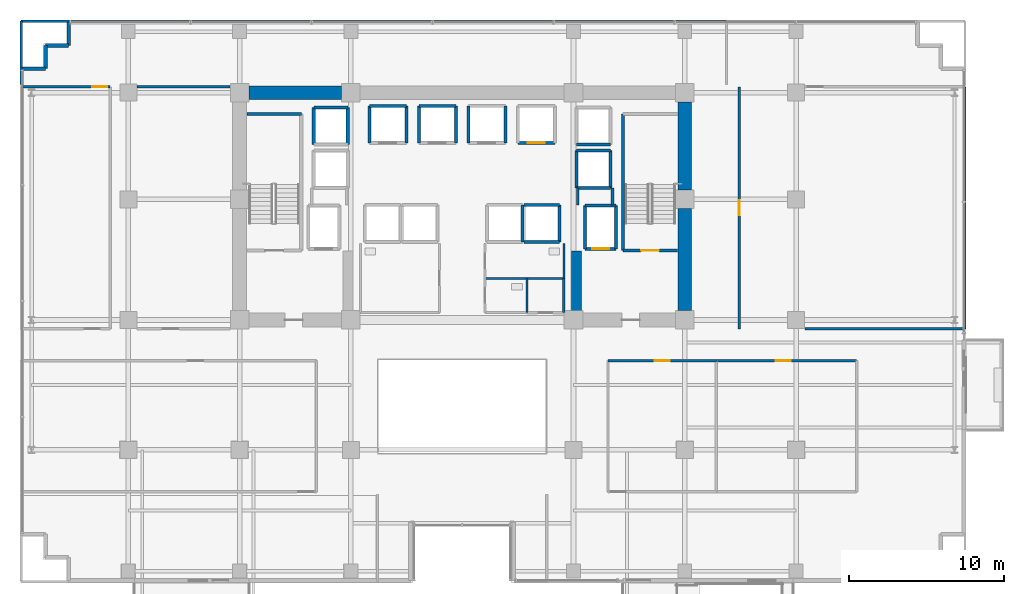
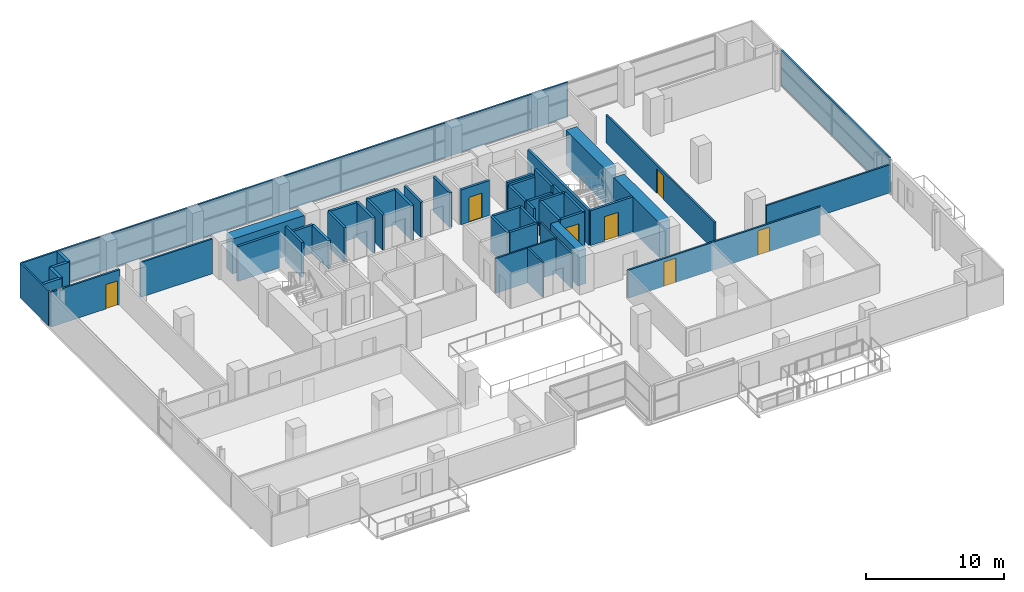
# One storey, part 23 of 28: 51 walls, 7 doors, 7 openings.
"""IFC4 building model written with IfcOpenShell, lengths in metres."""

from ifc_helpers import new_model, si_unit, direction, frame, frame_2d, origin, place, context, subcontext, project, spatial, rectangle, extrude, source, transform, mapped, material, layer, layer_set, type_object, element, fill, save


model = new_model("IFC4")

# Units and contexts
model_context = context("Model", 3, precision=1e-05, world=origin(), true_north=direction((0.0, 1.0)))
body_context = subcontext(model_context, "Body", "Model", "MODEL_VIEW")
ifc_project = project(units=[si_unit("LENGTHUNIT", "METRE"), si_unit("AREAUNIT", "SQUARE_METRE"), si_unit("VOLUMEUNIT", "CUBIC_METRE"), si_unit("PLANEANGLEUNIT", "RADIAN"), si_unit("MASSUNIT", "GRAM", prefix="KILO")], contexts=[model_context])

# Site, building, storey
site_placement = place(None, origin())
site = spatial("IfcSite", under=ifc_project, at=site_placement, CompositionType="ELEMENT")
building_placement = place(site_placement, origin())
building = spatial("IfcBuilding", under=site, at=building_placement, Name="Zarnakvel Exchange Tower", CompositionType="ELEMENT")
storey_placement = place(building_placement, frame((0.0, 0.0, 57.10009765625)))
storey = spatial("IfcBuildingStorey", under=building, at=storey_placement, Name="L15", CompositionType="ELEMENT", Elevation=57.10009765625)

# Walls
ifc_material_1 = material(Name="Concrete C80/95", Category="concrete")
ifc_layer_1 = layer(ifc_material_1, 0.89990234375)
ifc_layer_set_1 = layer_set([ifc_layer_1], Name="Concrete C80/95")
wall_type_1 = type_object("IfcWallType", Name="CW-C1", PredefinedType="SHEAR", material=ifc_layer_set_1)
wall_1_placement = place(storey_placement, frame((-13.800048828125, 13.5, 0.0), z_axis=(0.0, 0.0, 1.0), x_axis=(1.0, 0.0, 0.0)))
element("IfcWall", 1, at=wall_1_placement, inside=storey, type_object=wall_type_1, Name="L15 Rear Core Shear Wall N1 (CW-C1)", PredefinedType="SHEAR", context=body_context, shape_type="SweptSolid", body=[
    extrude(rectangle(XDim=6.0, YDim=0.89990234375, at=frame_2d((3.0, 0.0))), origin(), (0.0, 0.0, 1.0), 3.074951171875),
])
wall_2_placement = place(storey_placement, frame((14.39990234375, -0.60009765625, 0.0), z_axis=(0.0, 0.0, 1.0), x_axis=(0.0, 1.0, 0.0)))
element("IfcWall", 2, at=wall_2_placement, inside=storey, type_object=wall_type_1, Name="L15 Rear Core Shear Wall E1 (CW-C1)", PredefinedType="SHEAR", context=body_context, shape_type="SweptSolid", body=[
    extrude(rectangle(XDim=6.60009765625, YDim=0.89990234375, at=frame_2d((3.300048828125, 0.0))), origin(), (0.0, 0.0, 1.0), 3.074951171875),
])
wall_3_placement = place(storey_placement, frame((14.39990234375, 7.199951171875, 0.0), z_axis=(0.0, 0.0, 1.0), x_axis=(0.0, 1.0, 0.0)))
element("IfcWall", 3, at=wall_3_placement, inside=storey, type_object=wall_type_1, Name="L15 Rear Core Shear Wall E2 (CW-C1)", PredefinedType="SHEAR", context=body_context, shape_type="SweptSolid", body=[
    extrude(rectangle(XDim=5.699951171875, YDim=0.89990234375, at=frame_2d((2.85009765625, 0.0))), origin(), (0.0, 0.0, 1.0), 3.074951171875),
])
ifc_layer_2 = layer(ifc_material_1, 0.64990234375)
ifc_layer_set_2 = layer_set([ifc_layer_2], Name="Concrete C80/95")
wall_type_2 = type_object("IfcWallType", Name="CW-C2", PredefinedType="SHEAR", material=ifc_layer_set_2)
wall_4_placement = place(storey_placement, frame((7.39990234375, -0.75, 0.0), z_axis=(0.0, 0.0, 1.0), x_axis=(0.0, 1.0, 0.0)))
element("IfcWall", 4, at=wall_4_placement, inside=storey, type_object=wall_type_2, Name="L15 Rear Core Shear Wall IE (CW-C2)", PredefinedType="SHEAR", context=body_context, shape_type="SweptSolid", body=[
    extrude(rectangle(XDim=4.0, YDim=0.64990234375, at=frame_2d((2.0, 0.0))), origin(), (0.0, 0.0, 1.0), 3.074951171875),
])
ifc_material_2 = material(Name="Precast concrete C40/50", Category="concrete")
ifc_layer_3 = layer(ifc_material_2, 0.239990234375)
ifc_layer_set_3 = layer_set([ifc_layer_3], Name="Precast concrete C40/50")
wall_type_3 = type_object("IfcWallType", Name="EW-02", PredefinedType="SOLIDWALL", material=ifc_layer_set_3)
for number, where, z_axis, x_axis, name in (
    (5, (-26.9599609375, 15.06005859375, 0.0), (0.0, 0.0, 1.0), (-1.0, 0.0, 0.0), "L15 Exterior Precast Spandrel Wall EWC-L15-01 (EW-02)"),
    (6, (-26.9599609375, 16.56005859375, 0.0), (0.0, 0.0, 1.0), (0.0, -1.0, 0.0), "L15 Exterior Precast Spandrel Wall EWC-L15-02 (EW-02)"),
    (7, (-25.4599609375, 16.56005859375, 0.0), (0.0, 0.0, 1.0), (-1.0, 0.0, 0.0), "L15 Exterior Precast Spandrel Wall EWC-L15-03 (EW-02)"),
    (8, (-25.4599609375, 18.06005859375, 0.0), (0.0, 0.0, 1.0), (0.0, -1.0, 0.0), "L15 Exterior Precast Spandrel Wall EWC-L15-04 (EW-02)"),
):
    element("IfcWall", number, at=place(storey_placement, frame(where, z_axis=z_axis, x_axis=x_axis)), inside=storey, type_object=wall_type_3, Name=name, PredefinedType="SOLIDWALL", context=body_context, shape_type="SweptSolid", body=[
        extrude(rectangle(XDim=1.5, YDim=0.239990234375, at=frame_2d((0.75, 0.0))), origin(), (0.0, 0.0, 1.0), 3.074951171875),
    ])
ifc_material_3 = material(Name="Fire-Rated Gypsum Stud Partition", Category="gypsum")
ifc_layer_4 = layer(ifc_material_3, 0.14990234375)
ifc_layer_set_4 = layer_set([ifc_layer_4], Name="Fire-Rated Gypsum Stud Partition")
wall_type_4 = type_object("IfcWallType", Name="PT-01", PredefinedType="PARTITIONING", material=ifc_layer_set_4)
wall_5_placement = place(storey_placement, frame((6.580078125, 1.47998046875, 0.0), z_axis=(0.0, 0.0, 1.0), x_axis=(0.0, -1.0, 0.0)))
element("IfcWall", 9, at=wall_5_placement, inside=storey, type_object=wall_type_4, Name="L15 Partition Wall PWALL-L15-021 (PT-01)", PredefinedType="PARTITIONING", context=body_context, shape_type="SweptSolid", body=[
    extrude(rectangle(XDim=2.2099609375, YDim=0.14990234375, at=frame_2d((1.10498046875, 0.0))), origin(), (0.0, 0.0, 1.0), 3.074951171875),
])

# Wall, opening, door
wall_6_placement = place(storey_placement, frame((9.429931640625, -3.830078125, 0.0), z_axis=(0.0, 0.0, 1.0), x_axis=(1.0, 0.0, 0.0)))
wall_6 = element("IfcWall", 10, at=wall_6_placement, inside=storey, type_object=wall_type_4, Name="L15 Partition Wall PWALL-L15-030 (PT-01)", PredefinedType="PARTITIONING", context=body_context, shape_type="SweptSolid", body=[
    extrude(rectangle(XDim=7.0146484375, YDim=0.14990234375, at=frame_2d((3.50732421875, 0.0))), origin(), (0.0, 0.0, 1.0), 2.46484375),
])
opening_1_placement = place(wall_6_placement, frame((3.01708984375, 0.0, 0.0)))
opening_1 = element("IfcOpeningElement", 11, at=opening_1_placement, cuts=wall_6, Name="Opening D-L15-11", PredefinedType="OPENING", context=body_context, shape_type="SweptSolid", body=[
    extrude(rectangle(XDim=0.97998046875, YDim=2.14990234375, at=frame_2d((0.489990234375, 1.074951171875))), frame((0.0, 0.0849609375, 0.0), z_axis=(0.0, -1.0, 0.0), x_axis=(1.0, 0.0, 0.0)), (0.0, 0.0, 1.0), 0.169921875),
])
ifc_material_4 = material(Name="Timber Acoustic Veneer", Category="wood")
door_type_1 = type_object("IfcDoorType", Name="DT-05", OperationType="NOTDEFINED", PredefinedType="DOOR", material=ifc_material_4)
shared_shape_1 = source(origin(), body_context, "Body", "SweptSolid", [
    extrude(rectangle(XDim=0.97998046875, YDim=2.14990234375, at=frame_2d((0.489990234375, 1.074951171875))), frame((0.0, 0.02490234375, 0.0), z_axis=(0.0, -1.0, 0.0), x_axis=(1.0, 0.0, 0.0)), (0.0, 0.0, 1.0), 0.050048828125),
])
door_1_placement = place(opening_1_placement, origin())
door_1 = element("IfcDoor", 12, at=door_1_placement, inside=storey, type_object=door_type_1, Name="L15 Seminar Room Door D-L15-11", OperationType="SINGLE_SWING_LEFT", OverallHeight=2.14990234375, OverallWidth=0.97998046875, PredefinedType="DOOR", context=body_context, shape_type="MappedRepresentation", body=[
    mapped(shared_shape_1, transform((0.0, 0.0, 0.0), x_axis=(1.0, 0.0, 0.0), y_axis=(0.0, 1.0, 0.0), z_axis=(0.0, 0.0, 1.0), scale=1.0)),
])
fill(opening_1, door_1)

wall_7_placement = place(storey_placement, frame((16.444580078125, -3.830078125, 0.0), z_axis=(0.0, 0.0, 1.0), x_axis=(1.0, 0.0, 0.0)))
wall_7 = element("IfcWall", 13, at=wall_7_placement, inside=storey, type_object=wall_type_4, Name="L15 Partition Wall PWALL-L15-034 (PT-01)", PredefinedType="PARTITIONING", context=body_context, shape_type="SweptSolid", body=[
    extrude(rectangle(XDim=9.07080078125, YDim=0.14990234375, at=frame_2d((4.535400390625, 0.0))), origin(), (0.0, 0.0, 1.0), 2.46484375),
])
opening_2_placement = place(wall_7_placement, frame((3.827392578125, 0.0, 0.0)))
opening_2 = element("IfcOpeningElement", 14, at=opening_2_placement, cuts=wall_7, Name="Opening D-L15-12", PredefinedType="OPENING", context=body_context, shape_type="SweptSolid", body=[
    extrude(rectangle(XDim=0.97998046875, YDim=2.14990234375, at=frame_2d((0.489990234375, 1.074951171875))), frame((0.0, 0.0849609375, 0.0), z_axis=(0.0, -1.0, 0.0), x_axis=(1.0, 0.0, 0.0)), (0.0, 0.0, 1.0), 0.169921875),
])
door_2_placement = place(opening_2_placement, origin())
door_2 = element("IfcDoor", 15, at=door_2_placement, inside=storey, type_object=door_type_1, Name="L15 Boardroom Door D-L15-12", OperationType="SINGLE_SWING_RIGHT", OverallHeight=2.14990234375, OverallWidth=0.97998046875, PredefinedType="DOOR", context=body_context, shape_type="MappedRepresentation", body=[
    mapped(shared_shape_1, transform((0.0, 0.0, 0.0), x_axis=(1.0, 0.0, 0.0), y_axis=(0.0, 1.0, 0.0), z_axis=(0.0, 0.0, 1.0), scale=1.0)),
])
fill(opening_2, door_2)

wall_8_placement = place(storey_placement, frame((-28.530029296875, 13.8798828125, 0.0), z_axis=(0.0, 0.0, 1.0), x_axis=(1.0, 0.0, 0.0)))
wall_8 = element("IfcWall", 16, at=wall_8_placement, inside=storey, type_object=wall_type_4, Name="L15 Partition Wall PWALL-L15-040 (PT-01)", PredefinedType="PARTITIONING", context=body_context, shape_type="SweptSolid", body=[
    extrude(rectangle(XDim=5.761474609375, YDim=0.14990234375, at=frame_2d((2.880859375, 0.0))), origin(), (0.0, 0.0, 1.0), 3.074951171875),
])
opening_3_placement = place(wall_8_placement, frame((4.6015625, 0.0, 0.0)))
opening_3 = element("IfcOpeningElement", 17, at=opening_3_placement, cuts=wall_8, Name="Opening D-L15-17", PredefinedType="OPENING", context=body_context, shape_type="SweptSolid", body=[
    extrude(rectangle(XDim=0.97998046875, YDim=2.14990234375, at=frame_2d((0.489990234375, 1.074951171875))), frame((0.0, 0.0849609375, 0.0), z_axis=(0.0, -1.0, 0.0), x_axis=(1.0, 0.0, 0.0)), (0.0, 0.0, 1.0), 0.169921875),
])
door_3_placement = place(opening_3_placement, origin())
door_3 = element("IfcDoor", 18, at=door_3_placement, inside=storey, type_object=door_type_1, Name="L15 Fintech Workspace Door D-L15-17", OperationType="SINGLE_SWING_LEFT", OverallHeight=2.14990234375, OverallWidth=0.97998046875, PredefinedType="DOOR", context=body_context, shape_type="MappedRepresentation", body=[
    mapped(shared_shape_1, transform((0.0, 0.0, 0.0), x_axis=(1.0, 0.0, 0.0), y_axis=(0.0, 1.0, 0.0), z_axis=(0.0, 0.0, 1.0), scale=1.0)),
])
fill(opening_3, door_3)

# Walls
wall_9_placement = place(storey_placement, frame((-21.030029296875, 13.8798828125, 0.0), z_axis=(0.0, 0.0, 1.0), x_axis=(1.0, 0.0, 0.0)))
element("IfcWall", 19, at=wall_9_placement, inside=storey, type_object=wall_type_4, Name="L15 Partition Wall PWALL-L15-044 (PT-01)", PredefinedType="PARTITIONING", context=body_context, shape_type="SweptSolid", body=[
    extrude(rectangle(XDim=6.010009765625, YDim=0.14990234375, at=frame_2d((3.0048828125, 0.0))), origin(), (0.0, 0.0, 1.0), 3.074951171875),
])
wall_10_placement = place(storey_placement, frame((32.530029296875, -1.77001953125, 0.0), z_axis=(0.0, 0.0, 1.0), x_axis=(-1.0, 0.0, 0.0)))
element("IfcWall", 20, at=wall_10_placement, inside=storey, type_object=wall_type_4, Name="L15 Partition Wall PWALL-L15-045 (PT-01)", PredefinedType="PARTITIONING", context=body_context, shape_type="SweptSolid", body=[
    extrude(rectangle(XDim=10.360107421875, YDim=0.14990234375, at=frame_2d((5.18017578125, 0.0))), origin(), (0.0, 0.0, 1.0), 2.46484375),
])

# Wall, opening, door
wall_11_placement = place(storey_placement, frame((17.929931640625, -1.77001953125, 0.0), z_axis=(0.0, 0.0, 1.0), x_axis=(0.0, 1.0, 0.0)))
wall_11 = element("IfcWall", 21, at=wall_11_placement, inside=storey, type_object=wall_type_4, Name="L15 Partition Wall PWALL-L15-047 (PT-01)", PredefinedType="PARTITIONING", context=body_context, shape_type="SweptSolid", body=[
    extrude(rectangle(XDim=15.64990234375, YDim=0.14990234375, at=frame_2d((7.824951171875, 0.0))), origin(), (0.0, 0.0, 1.0), 2.46484375),
])
opening_4_placement = place(wall_11_placement, frame((7.3349609375, 0.0, 0.0)))
opening_4 = element("IfcOpeningElement", 22, at=opening_4_placement, cuts=wall_11, Name="Opening D-L15-16", PredefinedType="OPENING", context=body_context, shape_type="SweptSolid", body=[
    extrude(rectangle(XDim=0.97998046875, YDim=2.14990234375, at=frame_2d((0.489990234375, 1.074951171875))), frame((0.0, 0.0849609375, 0.0), z_axis=(0.0, -1.0, 0.0), x_axis=(1.0, 0.0, 0.0)), (0.0, 0.0, 1.0), 0.169921875),
])
door_4_placement = place(opening_4_placement, origin())
door_4 = element("IfcDoor", 23, at=door_4_placement, inside=storey, type_object=door_type_1, Name="L15 Tea Pantry Door D-L15-16", OperationType="SINGLE_SWING_RIGHT", OverallHeight=2.14990234375, OverallWidth=0.97998046875, PredefinedType="DOOR", context=body_context, shape_type="MappedRepresentation", body=[
    mapped(shared_shape_1, transform((0.0, 0.0, 0.0), x_axis=(1.0, 0.0, 0.0), y_axis=(0.0, 1.0, 0.0), z_axis=(0.0, 0.0, 1.0), scale=1.0)),
])
fill(opening_4, door_4)

# Walls
wall_12_placement = place(storey_placement, frame((32.530029296875, 13.8798828125, 0.0), z_axis=(0.0, 0.0, 1.0), x_axis=(0.0, -1.0, 0.0)))
element("IfcWall", 24, at=wall_12_placement, inside=storey, type_object=wall_type_4, Name="L15 Partition Wall PWALL-L15-048 (PT-01)", PredefinedType="PARTITIONING", context=body_context, shape_type="SweptSolid", body=[
    extrude(rectangle(XDim=15.64990234375, YDim=0.14990234375, at=frame_2d((7.824951171875, 0.0))), origin(), (0.0, 0.0, 1.0), 3.074951171875),
])
wall_13_placement = place(storey_placement, frame((-28.530029296875, 18.1298828125, 0.0), z_axis=(0.0, 0.0, 1.0), x_axis=(1.0, 0.0, 0.0)))
element("IfcWall", 25, at=wall_13_placement, inside=storey, type_object=wall_type_4, Name="L15 Partition Wall PWALL-L15-049 (PT-01)", PredefinedType="PARTITIONING", context=body_context, shape_type="SweptSolid", body=[
    extrude(rectangle(XDim=45.630126953125, YDim=0.14990234375, at=frame_2d((22.81494140625, 0.0))), origin(), (0.0, 0.0, 1.0), 3.074951171875),
])
wall_14_placement = place(storey_placement, frame((-28.530029296875, 14.030029296875, 0.0), z_axis=(0.0, 0.0, 1.0), x_axis=(0.0, 1.0, 0.0)))
element("IfcWall", 26, at=wall_14_placement, inside=storey, type_object=wall_type_4, Name="L15 Partition Wall PWALL-L15-050 (PT-01)", PredefinedType="PARTITIONING", context=body_context, shape_type="SweptSolid", body=[
    extrude(rectangle(XDim=4.099853515625, YDim=0.14990234375, at=frame_2d((2.0498046875, 0.0))), origin(), (0.0, 0.0, 1.0), 3.074951171875),
])
ifc_layer_5 = layer(ifc_material_3, 0.179931640625)
ifc_layer_set_5 = layer_set([ifc_layer_5], Name="Fire-Rated Gypsum Stud Partition")
wall_type_5 = type_object("IfcWallType", Name="PT-02", PredefinedType="PARTITIONING", material=ifc_layer_set_5)
wall_15_placement = place(storey_placement, frame((7.469970703125, 6.239990234375, 0.0), z_axis=(0.0, 0.0, 1.0), x_axis=(0.0, 1.0, 0.0)))
element("IfcWall", 27, at=wall_15_placement, inside=storey, type_object=wall_type_5, Name="L15 Partition Wall PWALL-L15-009 (PT-02)", PredefinedType="PARTITIONING", context=body_context, shape_type="SweptSolid", body=[
    extrude(rectangle(XDim=1.090087890625, YDim=0.179931640625, at=frame_2d((0.544921875, 0.0))), origin(), (0.0, 0.0, 1.0), 2.46484375),
])
wall_16_placement = place(storey_placement, frame((9.72998046875, 7.330078125, 0.0), z_axis=(0.0, 0.0, 1.0), x_axis=(0.0, -1.0, 0.0)))
element("IfcWall", 28, at=wall_16_placement, inside=storey, type_object=wall_type_5, Name="L15 Partition Wall PWALL-L15-010 (PT-02)", PredefinedType="PARTITIONING", context=body_context, shape_type="SweptSolid", body=[
    extrude(rectangle(XDim=1.090087890625, YDim=0.179931640625, at=frame_2d((0.544921875, 0.0))), origin(), (0.0, 0.0, 1.0), 3.074951171875),
])
ifc_material_5 = material(Name="Moisture-Resistant Tile-Faced Partition", Category="gypsum")
ifc_layer_6 = layer(ifc_material_5, 0.135009765625)
ifc_layer_set_6 = layer_set([ifc_layer_6], Name="Moisture-Resistant Tile-Faced Partition")
wall_type_6 = type_object("IfcWallType", Name="PT-03", PredefinedType="PARTITIONING", material=ifc_layer_set_6)
wall_17_placement = place(storey_placement, frame((6.580078125, 1.47998046875, 0.0), z_axis=(0.0, 0.0, 1.0), x_axis=(-1.0, 0.0, 0.0)))
element("IfcWall", 29, at=wall_17_placement, inside=storey, type_object=wall_type_6, Name="L15 Partition Wall PWALL-L15-014 (PT-03)", PredefinedType="PARTITIONING", context=body_context, shape_type="SweptSolid", body=[
    extrude(rectangle(XDim=5.110107421875, YDim=0.135009765625, at=frame_2d((2.55517578125, 0.0))), origin(), (0.0, 0.0, 1.0), 3.074951171875),
])
wall_18_placement = place(storey_placement, frame((6.580078125, 3.760009765625, 0.0), z_axis=(0.0, 0.0, 1.0), x_axis=(0.0, -1.0, 0.0)))
element("IfcWall", 30, at=wall_18_placement, inside=storey, type_object=wall_type_6, Name="L15 Partition Wall PWALL-L15-016 (PT-03)", PredefinedType="PARTITIONING", context=body_context, shape_type="SweptSolid", body=[
    extrude(rectangle(XDim=2.280029296875, YDim=0.135009765625, at=frame_2d((1.14013671875, 0.0))), origin(), (0.0, 0.0, 1.0), 3.074951171875),
])
wall_19_placement = place(storey_placement, frame((4.179931640625, 1.47998046875, 0.0), z_axis=(0.0, 0.0, 1.0), x_axis=(0.0, -1.0, 0.0)))
element("IfcWall", 31, at=wall_19_placement, inside=storey, type_object=wall_type_6, Name="L15 Partition Wall PWALL-L15-019 (PT-03)", PredefinedType="PARTITIONING", context=body_context, shape_type="SweptSolid", body=[
    extrude(rectangle(XDim=2.2099609375, YDim=0.135009765625, at=frame_2d((1.10498046875, 0.0))), origin(), (0.0, 0.0, 1.0), 3.074951171875),
])

# Wall, opening, door
ifc_material_6 = material(Name="Concrete C40/50", Category="concrete")
ifc_layer_7 = layer(ifc_material_6, 0.199951171875)
ifc_layer_set_7 = layer_set([ifc_layer_7], Name="Concrete C40/50")
wall_type_7 = type_object("IfcWallType", Name="SW-01", PredefinedType="SOLIDWALL", material=ifc_layer_set_7)
wall_20_placement = place(storey_placement, frame((9.949951171875, 3.39990234375, 0.0), z_axis=(0.0, 0.0, 1.0), x_axis=(-1.0, 0.0, 0.0)))
wall_20 = element("IfcWall", 32, at=wall_20_placement, inside=storey, type_object=wall_type_7, Name="L15 FL-02 Hoistway Wall South", PredefinedType="SOLIDWALL", context=body_context, shape_type="SweptSolid", body=[
    extrude(rectangle(XDim=2.0, YDim=0.199951171875, at=frame_2d((1.0, 0.0))), origin(), (0.0, 0.0, 1.0), 3.074951171875),
])
opening_5_placement = place(wall_20_placement, frame((0.449951171875, 0.0, 0.0)))
opening_5 = element("IfcOpeningElement", 33, at=opening_5_placement, cuts=wall_20, Name="Opening LD-FL-02-L15", PredefinedType="OPENING", context=body_context, shape_type="SweptSolid", body=[
    extrude(rectangle(XDim=1.10009765625, YDim=2.199951171875, at=frame_2d((0.550048828125, 1.10009765625))), frame((0.0, 0.10986328125, 0.0), z_axis=(0.0, -1.0, 0.0), x_axis=(1.0, 0.0, 0.0)), (0.0, 0.0, 1.0), 0.219970703125),
])
ifc_material_7 = material(Name="Brushed Stainless Steel", Category="steel")
door_type_2 = type_object("IfcDoorType", Name="LDT-01", OperationType="NOTDEFINED", PredefinedType="DOOR", material=ifc_material_7)
shared_shape_2 = source(origin(), body_context, "Body", "SweptSolid", [
    extrude(rectangle(XDim=1.10009765625, YDim=2.199951171875, at=frame_2d((0.550048828125, 1.10009765625))), frame((0.0, 0.02490234375, 0.0), z_axis=(0.0, -1.0, 0.0), x_axis=(1.0, 0.0, 0.0)), (0.0, 0.0, 1.0), 0.050048828125),
])
door_5_placement = place(opening_5_placement, origin())
door_5 = element("IfcDoor", 34, at=door_5_placement, inside=storey, type_object=door_type_2, Name="L15 FL-02 Lift Landing Door LD-FL-02-L15", OperationType="DOUBLE_DOOR_SLIDING", OverallHeight=2.199951171875, OverallWidth=1.10009765625, PredefinedType="DOOR", context=body_context, shape_type="MappedRepresentation", body=[
    mapped(shared_shape_2, transform((0.0, 0.0, 0.0), x_axis=(1.0, 0.0, 0.0), y_axis=(0.0, 1.0, 0.0), z_axis=(0.0, 0.0, 1.0), scale=1.0)),
])
fill(opening_5, door_5)

# Walls
wall_21_placement = place(storey_placement, frame((7.949951171875, 6.199951171875, 0.0), z_axis=(0.0, 0.0, 1.0), x_axis=(1.0, 0.0, 0.0)))
element("IfcWall", 35, at=wall_21_placement, inside=storey, type_object=wall_type_7, Name="L15 FL-02 Hoistway Wall North", PredefinedType="SOLIDWALL", context=body_context, shape_type="SweptSolid", body=[
    extrude(rectangle(XDim=2.0, YDim=0.199951171875, at=frame_2d((1.0, 0.0))), origin(), (0.0, 0.0, 1.0), 3.074951171875),
])
for number, where, z_axis, x_axis, name in (
    (36, (7.949951171875, 3.39990234375, 0.0), (0.0, 0.0, 1.0), (0.0, 1.0, 0.0), "L15 FL-02 Hoistway Wall West"),
    (37, (9.949951171875, 6.199951171875, 0.0), (0.0, 0.0, 1.0), (0.0, -1.0, 0.0), "L15 FL-02 Hoistway Wall East"),
):
    element("IfcWall", number, at=place(storey_placement, frame(where, z_axis=z_axis, x_axis=x_axis)), inside=storey, type_object=wall_type_7, Name=name, PredefinedType="SOLIDWALL", context=body_context, shape_type="SweptSolid", body=[
        extrude(rectangle(XDim=2.800048828125, YDim=0.199951171875, at=frame_2d((1.39990234375, 0.0))), origin(), (0.0, 0.0, 1.0), 3.074951171875),
    ])
for number, where, z_axis, x_axis, name in (
    (38, (-6.0, 12.64990234375, 0.0), (0.0, 0.0, 1.0), (1.0, 0.0, 0.0), "L15 PL-01 Hoistway Wall North"),
    (39, (-6.0, 10.25, 0.0), (0.0, 0.0, 1.0), (0.0, 1.0, 0.0), "L15 PL-01 Hoistway Wall West"),
    (40, (-3.60009765625, 12.64990234375, 0.0), (0.0, 0.0, 1.0), (0.0, -1.0, 0.0), "L15 PL-01 Hoistway Wall East"),
):
    element("IfcWall", number, at=place(storey_placement, frame(where, z_axis=z_axis, x_axis=x_axis)), inside=storey, type_object=wall_type_7, Name=name, PredefinedType="SOLIDWALL", context=body_context, shape_type="SweptSolid", body=[
        extrude(rectangle(XDim=2.39990234375, YDim=0.199951171875, at=frame_2d((1.199951171875, 0.0))), origin(), (0.0, 0.0, 1.0), 3.074951171875),
    ])
wall_22_placement = place(storey_placement, frame((-2.800048828125, 12.64990234375, 0.0), z_axis=(0.0, 0.0, 1.0), x_axis=(1.0, 0.0, 0.0)))
element("IfcWall", 41, at=wall_22_placement, inside=storey, type_object=wall_type_7, Name="L15 PL-02 Hoistway Wall North", PredefinedType="SOLIDWALL", context=body_context, shape_type="SweptSolid", body=[
    extrude(rectangle(XDim=2.400146484375, YDim=0.199951171875, at=frame_2d((1.2001953125, 0.0))), origin(), (0.0, 0.0, 1.0), 3.074951171875),
])
for number, where, z_axis, x_axis, name in (
    (42, (-2.800048828125, 10.25, 0.0), (0.0, 0.0, 1.0), (0.0, 1.0, 0.0), "L15 PL-02 Hoistway Wall West"),
    (43, (-0.39990234375, 12.64990234375, 0.0), (0.0, 0.0, 1.0), (0.0, -1.0, 0.0), "L15 PL-02 Hoistway Wall East"),
    (44, (0.39990234375, 10.25, 0.0), (0.0, 0.0, 1.0), (0.0, 1.0, 0.0), "L15 PL-03 Hoistway Wall West"),
    (45, (2.800048828125, 12.64990234375, 0.0), (0.0, 0.0, 1.0), (0.0, -1.0, 0.0), "L15 PL-03 Hoistway Wall East"),
):
    element("IfcWall", number, at=place(storey_placement, frame(where, z_axis=z_axis, x_axis=x_axis)), inside=storey, type_object=wall_type_7, Name=name, PredefinedType="SOLIDWALL", context=body_context, shape_type="SweptSolid", body=[
        extrude(rectangle(XDim=2.39990234375, YDim=0.199951171875, at=frame_2d((1.199951171875, 0.0))), origin(), (0.0, 0.0, 1.0), 3.074951171875),
    ])

# Wall, opening, door
wall_23_placement = place(storey_placement, frame((6.0, 10.25, 0.0), z_axis=(0.0, 0.0, 1.0), x_axis=(-1.0, 0.0, 0.0)))
wall_23 = element("IfcWall", 46, at=wall_23_placement, inside=storey, type_object=wall_type_7, Name="L15 PL-04 Hoistway Wall South", PredefinedType="SOLIDWALL", context=body_context, shape_type="SweptSolid", body=[
    extrude(rectangle(XDim=2.39990234375, YDim=0.199951171875, at=frame_2d((1.199951171875, 0.0))), origin(), (0.0, 0.0, 1.0), 3.074951171875),
])
opening_6_placement = place(wall_23_placement, frame((0.64990234375, 0.0, 0.0)))
opening_6 = element("IfcOpeningElement", 47, at=opening_6_placement, cuts=wall_23, Name="Opening LD-PL-04-L15", PredefinedType="OPENING", context=body_context, shape_type="SweptSolid", body=[
    extrude(rectangle(XDim=1.10009765625, YDim=2.199951171875, at=frame_2d((0.550048828125, 1.10009765625))), frame((0.0, 0.10986328125, 0.0), z_axis=(0.0, -1.0, 0.0), x_axis=(1.0, 0.0, 0.0)), (0.0, 0.0, 1.0), 0.219970703125),
])
ifc_material_8 = material(Name="Architectural Bronze Anodised Aluminium", Category="aluminium")
door_type_3 = type_object("IfcDoorType", Name="LDT-02", OperationType="NOTDEFINED", PredefinedType="DOOR", material=ifc_material_8)
door_6_placement = place(opening_6_placement, origin())
door_6 = element("IfcDoor", 48, at=door_6_placement, inside=storey, type_object=door_type_3, Name="L15 PL-04 Lift Landing Door LD-PL-04-L15", OperationType="DOUBLE_DOOR_SLIDING", OverallHeight=2.199951171875, OverallWidth=1.10009765625, PredefinedType="DOOR", context=body_context, shape_type="MappedRepresentation", body=[
    mapped(shared_shape_2, transform((0.0, 0.0, 0.0), x_axis=(1.0, 0.0, 0.0), y_axis=(0.0, 1.0, 0.0), z_axis=(0.0, 0.0, 1.0), scale=1.0)),
])
fill(opening_6, door_6)

# Walls
wall_24_placement = place(storey_placement, frame((3.89990234375, 6.25, 0.0), z_axis=(0.0, 0.0, 1.0), x_axis=(0.0, -1.0, 0.0)))
element("IfcWall", 49, at=wall_24_placement, inside=storey, type_object=wall_type_7, Name="L15 PL-07 Hoistway Wall East", PredefinedType="SOLIDWALL", context=body_context, shape_type="SweptSolid", body=[
    extrude(rectangle(XDim=2.39990234375, YDim=0.199951171875, at=frame_2d((1.199951171875, 0.0))), origin(), (0.0, 0.0, 1.0), 3.074951171875),
])
for number, where, z_axis, x_axis, name in (
    (50, (6.300048828125, 3.85009765625, 0.0), (0.0, 0.0, 1.0), (-1.0, 0.0, 0.0), "L15 PL-08 Hoistway Wall South"),
    (51, (4.0, 6.25, 0.0), (0.0, 0.0, 1.0), (1.0, 0.0, 0.0), "L15 PL-08 Hoistway Wall North"),
):
    element("IfcWall", number, at=place(storey_placement, frame(where, z_axis=z_axis, x_axis=x_axis)), inside=storey, type_object=wall_type_7, Name=name, PredefinedType="SOLIDWALL", context=body_context, shape_type="SweptSolid", body=[
        extrude(rectangle(XDim=2.300048828125, YDim=0.199951171875, at=frame_2d((1.14990234375, 0.0))), origin(), (0.0, 0.0, 1.0), 3.074951171875),
    ])
wall_25_placement = place(storey_placement, frame((6.300048828125, 6.25, 0.0), z_axis=(0.0, 0.0, 1.0), x_axis=(0.0, -1.0, 0.0)))
element("IfcWall", 52, at=wall_25_placement, inside=storey, type_object=wall_type_7, Name="L15 PL-08 Hoistway Wall East", PredefinedType="SOLIDWALL", context=body_context, shape_type="SweptSolid", body=[
    extrude(rectangle(XDim=2.39990234375, YDim=0.199951171875, at=frame_2d((1.199951171875, 0.0))), origin(), (0.0, 0.0, 1.0), 3.074951171875),
])
wall_26_placement = place(storey_placement, frame((-9.60009765625, 12.550048828125, 0.0), z_axis=(0.0, 0.0, 1.0), x_axis=(1.0, 0.0, 0.0)))
element("IfcWall", 53, at=wall_26_placement, inside=storey, type_object=wall_type_7, Name="L15 PL-10 Hoistway Wall North", PredefinedType="SOLIDWALL", context=body_context, shape_type="SweptSolid", body=[
    extrude(rectangle(XDim=2.2001953125, YDim=0.199951171875, at=frame_2d((1.10009765625, 0.0))), origin(), (0.0, 0.0, 1.0), 2.46484375),
])
wall_27_placement = place(storey_placement, frame((-9.60009765625, 10.14990234375, 0.0), z_axis=(0.0, 0.0, 1.0), x_axis=(0.0, 1.0, 0.0)))
element("IfcWall", 54, at=wall_27_placement, inside=storey, type_object=wall_type_7, Name="L15 PL-10 Hoistway Wall West", PredefinedType="SOLIDWALL", context=body_context, shape_type="SweptSolid", body=[
    extrude(rectangle(XDim=2.400146484375, YDim=0.199951171875, at=frame_2d((1.2001953125, 0.0))), origin(), (0.0, 0.0, 1.0), 3.074951171875),
])
wall_28_placement = place(storey_placement, frame((-7.39990234375, 12.550048828125, 0.0), z_axis=(0.0, 0.0, 1.0), x_axis=(0.0, -1.0, 0.0)))
element("IfcWall", 55, at=wall_28_placement, inside=storey, type_object=wall_type_7, Name="L15 PL-10 Hoistway Wall East", PredefinedType="SOLIDWALL", context=body_context, shape_type="SweptSolid", body=[
    extrude(rectangle(XDim=2.400146484375, YDim=0.199951171875, at=frame_2d((1.2001953125, 0.0))), origin(), (0.0, 0.0, 1.0), 2.46484375),
])
for number, where, z_axis, x_axis, name in (
    (56, (9.60009765625, 7.35009765625, 0.0), (0.0, 0.0, 1.0), (-1.0, 0.0, 0.0), "L15 PL-11 Hoistway Wall South"),
    (57, (7.39990234375, 9.75, 0.0), (0.0, 0.0, 1.0), (1.0, 0.0, 0.0), "L15 PL-11 Hoistway Wall North"),
):
    element("IfcWall", number, at=place(storey_placement, frame(where, z_axis=z_axis, x_axis=x_axis)), inside=storey, type_object=wall_type_7, Name=name, PredefinedType="SOLIDWALL", context=body_context, shape_type="SweptSolid", body=[
        extrude(rectangle(XDim=2.2001953125, YDim=0.199951171875, at=frame_2d((1.10009765625, 0.0))), origin(), (0.0, 0.0, 1.0), 2.46484375),
    ])
wall_29_placement = place(storey_placement, frame((7.39990234375, 7.35009765625, 0.0), z_axis=(0.0, 0.0, 1.0), x_axis=(0.0, 1.0, 0.0)))
element("IfcWall", 58, at=wall_29_placement, inside=storey, type_object=wall_type_7, Name="L15 PL-11 Hoistway Wall West", PredefinedType="SOLIDWALL", context=body_context, shape_type="SweptSolid", body=[
    extrude(rectangle(XDim=2.39990234375, YDim=0.199951171875, at=frame_2d((1.199951171875, 0.0))), origin(), (0.0, 0.0, 1.0), 2.46484375),
])
wall_30_placement = place(storey_placement, frame((9.60009765625, 9.75, 0.0), z_axis=(0.0, 0.0, 1.0), x_axis=(0.0, -1.0, 0.0)))
element("IfcWall", 59, at=wall_30_placement, inside=storey, type_object=wall_type_7, Name="L15 PL-11 Hoistway Wall East", PredefinedType="SOLIDWALL", context=body_context, shape_type="SweptSolid", body=[
    extrude(rectangle(XDim=2.39990234375, YDim=0.199951171875, at=frame_2d((1.199951171875, 0.0))), origin(), (0.0, 0.0, 1.0), 3.074951171875),
])
wall_31_placement = place(storey_placement, frame((9.60009765625, 10.14990234375, 0.0), z_axis=(0.0, 0.0, 1.0), x_axis=(-1.0, 0.0, 0.0)))
element("IfcWall", 60, at=wall_31_placement, inside=storey, type_object=wall_type_7, Name="L15 PL-12 Hoistway Wall South", PredefinedType="SOLIDWALL", context=body_context, shape_type="SweptSolid", body=[
    extrude(rectangle(XDim=2.2001953125, YDim=0.199951171875, at=frame_2d((1.10009765625, 0.0))), origin(), (0.0, 0.0, 1.0), 2.46484375),
])
ifc_layer_8 = layer(ifc_material_6, 0.199951171875)
ifc_layer_set_8 = layer_set([ifc_layer_8], Name="Concrete C40/50")
wall_type_8 = type_object("IfcWallType", Name="SW-02", PredefinedType="SOLIDWALL", material=ifc_layer_set_8)
wall_32_placement = place(storey_placement, frame((-13.929931640625, 12.1298828125, 0.0), z_axis=(0.0, 0.0, 1.0), x_axis=(1.0, 0.0, 0.0)))
element("IfcWall", 61, at=wall_32_placement, inside=storey, type_object=wall_type_8, Name="L15 Stairwell Core Wall PWALL-L15-002 (SW-02)", PredefinedType="SOLIDWALL", context=body_context, shape_type="SweptSolid", body=[
    extrude(rectangle(XDim=3.52001953125, YDim=0.199951171875, at=frame_2d((1.760009765625, 0.0))), origin(), (0.0, 0.0, 1.0), 3.074951171875),
])

# Wall, opening, door
wall_33_placement = place(storey_placement, frame((13.929931640625, 3.2900390625, 0.0), z_axis=(0.0, 0.0, 1.0), x_axis=(-1.0, 0.0, 0.0)))
wall_33 = element("IfcWall", 62, at=wall_33_placement, inside=storey, type_object=wall_type_8, Name="L15 Stairwell Core Wall PWALL-L15-004 (SW-02)", PredefinedType="SOLIDWALL", context=body_context, shape_type="SweptSolid", body=[
    extrude(rectangle(XDim=3.52001953125, YDim=0.199951171875, at=frame_2d((1.760009765625, 0.0))), origin(), (0.0, 0.0, 1.0), 3.074951171875),
])
opening_7_placement = place(wall_33_placement, frame((1.205078125, 0.0, 0.0)))
opening_7 = element("IfcOpeningElement", 63, at=opening_7_placement, cuts=wall_33, Name="Opening D-L15-02", PredefinedType="OPENING", context=body_context, shape_type="SweptSolid", body=[
    extrude(rectangle(XDim=1.14990234375, YDim=2.14990234375, at=frame_2d((0.574951171875, 1.074951171875))), frame((0.0, 0.10986328125, 0.0), z_axis=(0.0, -1.0, 0.0), x_axis=(1.0, 0.0, 0.0)), (0.0, 0.0, 1.0), 0.219970703125),
])
ifc_material_9 = material(Name="Painted Galvanised Steel S355", Category="steel")
door_type_4 = type_object("IfcDoorType", Name="DT-04", OperationType="NOTDEFINED", PredefinedType="DOOR", material=ifc_material_9)
shared_shape_3 = source(origin(), body_context, "Body", "SweptSolid", [
    extrude(rectangle(XDim=1.14990234375, YDim=2.14990234375, at=frame_2d((0.574951171875, 1.074951171875))), frame((0.0, 0.02490234375, 0.0), z_axis=(0.0, -1.0, 0.0), x_axis=(1.0, 0.0, 0.0)), (0.0, 0.0, 1.0), 0.050048828125),
])
door_7_placement = place(opening_7_placement, origin())
door_7 = element("IfcDoor", 64, at=door_7_placement, inside=storey, type_object=door_type_4, Name="L15 Stairwell ST-02 Door D-L15-02", OperationType="SINGLE_SWING_RIGHT", OverallHeight=2.14990234375, OverallWidth=1.14990234375, PredefinedType="DOOR", context=body_context, shape_type="MappedRepresentation", body=[
    mapped(shared_shape_3, transform((0.0, 0.0, 0.0), x_axis=(1.0, 0.0, 0.0), y_axis=(0.0, 1.0, 0.0), z_axis=(0.0, 0.0, 1.0), scale=1.0)),
])
fill(opening_7, door_7)

# Wall
wall_34_placement = place(storey_placement, frame((10.409912109375, 3.2900390625, 0.0), z_axis=(0.0, 0.0, 1.0), x_axis=(0.0, 1.0, 0.0)))
element("IfcWall", 65, at=wall_34_placement, inside=storey, type_object=wall_type_8, Name="L15 Stairwell Core Wall PWALL-L15-006 (SW-02)", PredefinedType="SOLIDWALL", context=body_context, shape_type="SweptSolid", body=[
    extrude(rectangle(XDim=8.83984375, YDim=0.199951171875, at=frame_2d((4.419921875, 0.0))), origin(), (0.0, 0.0, 1.0), 3.074951171875),
])

save(model, "model.ifc")
